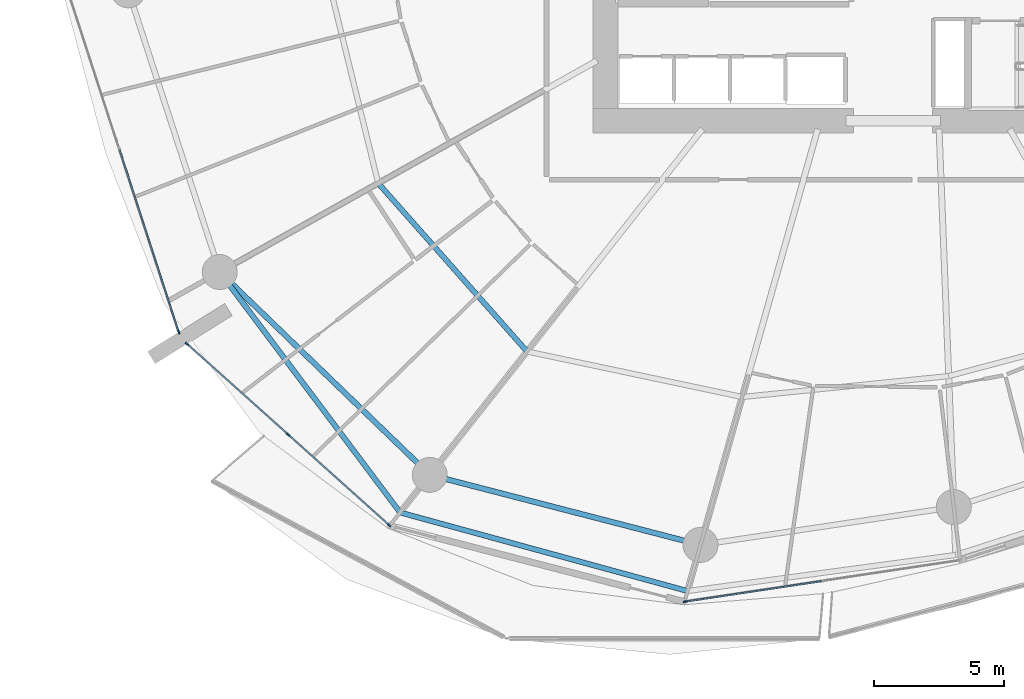
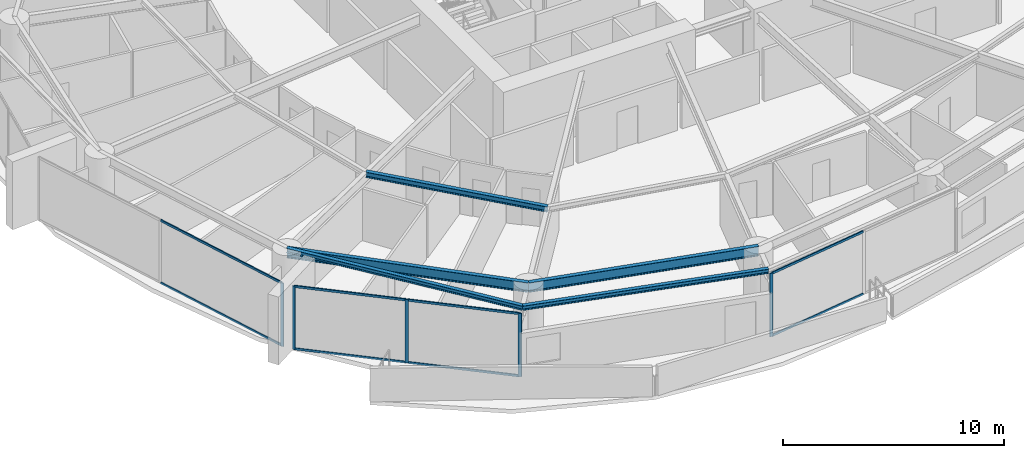
# One storey, part 6 of 31: 13 members, 5 beams, 3 elements without a shape of their own.
"""IFC4 building model written with IfcOpenShell, lengths in metres."""

from ifc_helpers import new_model, si_unit, direction, frame, origin, origin_2d, place, context, subcontext, project, spatial, rectangle, i_section, extrude, material, layer, layer_set, material_profile, profile_set, type_object, element, aggregate, save


model = new_model("IFC4")

# Units and contexts
model_context = context("Model", 3, precision=1e-05, world=origin(), true_north=direction((0.0, 1.0)))
body_context = subcontext(model_context, "Body", "Model", "MODEL_VIEW")
ifc_project = project(units=[si_unit("LENGTHUNIT", "METRE"), si_unit("AREAUNIT", "SQUARE_METRE"), si_unit("VOLUMEUNIT", "CUBIC_METRE"), si_unit("PLANEANGLEUNIT", "RADIAN"), si_unit("MASSUNIT", "GRAM", prefix="KILO")], contexts=[model_context])

# Site, building, storey
site_placement = place(None, origin())
site = spatial("IfcSite", under=ifc_project, at=site_placement, CompositionType="ELEMENT")
building_placement = place(site_placement, origin())
building = spatial("IfcBuilding", under=site, at=building_placement, Name="Kazma Halo Residences", CompositionType="ELEMENT")
storey_placement = place(building_placement, frame((0.0, 0.0, 60.14990234375)))
storey = spatial("IfcBuildingStorey", under=building, at=storey_placement, Name="L14", CompositionType="ELEMENT", Elevation=60.14990234375)

# Beams
ifc_material_1 = material(Name="Steel S355", Category="steel")
ifc_material_profile_1 = material_profile(ifc_material_1, i_section(OverallWidth=0.201904296875, OverallDepth=0.2470703125, WebThickness=0.00732421875, FlangeThickness=0.010986328125, FilletRadius=0.011962890625, at=origin_2d()), Name="W250x49.1")
ifc_profile_set_1 = profile_set([ifc_material_profile_1], Name="Steel S355")
beam_type_1 = type_object("IfcBeamType", Name="BM-BAL-CANT", PredefinedType="BEAM", material=ifc_profile_set_1)
beam_1_placement = place(storey_placement, frame((22.43505859375, 27.682861328125, 3.376708984375), z_axis=(0.600026935007, -0.799979798037, 0.0), x_axis=(0.799979798037, 0.600026935007, 0.0)))
element("IfcBeam", 1, at=beam_1_placement, inside=storey, type_object=beam_type_1, Name="L14 wave-balcony lead tie beam 09", PredefinedType="BEAM", context=body_context, shape_type="SweptSolid", body=[
    extrude(i_section(OverallWidth=0.201904296875, OverallDepth=0.2470703125, WebThickness=0.00732421875, FlangeThickness=0.010986328125, FilletRadius=0.011962890625, at=origin_2d()), origin(), (0.0, 0.0, 1.0), 11.601806640625),
])
beam_2_placement = place(storey_placement, frame((29.396484375, 18.401611328125, 3.376708984375), z_axis=(0.964628474934, -0.263613173697, 0.0), x_axis=(0.263613173697, 0.964628474934, 0.0)))
element("IfcBeam", 2, at=beam_2_placement, inside=storey, type_object=beam_type_1, Name="L14 wave-balcony tie beam 10", PredefinedType="BEAM", context=body_context, shape_type="SweptSolid", body=[
    extrude(i_section(OverallWidth=0.201904296875, OverallDepth=0.2470703125, WebThickness=0.00732421875, FlangeThickness=0.010986328125, FilletRadius=0.011962890625, at=origin_2d()), origin(), (0.0, 0.0, 1.0), 11.499755859375),
])
ifc_material_profile_2 = material_profile(ifc_material_1, i_section(OverallWidth=0.202880859375, OverallDepth=0.302978515625, WebThickness=0.007568359375, FlangeThickness=0.01318359375, FilletRadius=0.013916015625, at=origin_2d()), Name="W310x60")
ifc_profile_set_2 = profile_set([ifc_material_profile_2], Name="Steel S355")
beam_type_2 = type_object("IfcBeamType", Name="BM-SEC-W310A", PredefinedType="JOIST", material=ifc_profile_set_2)
beam_3_placement = place(storey_placement, frame((28.55224609375, 31.10888671875, 3.3486328125), z_axis=(0.662640120169, -0.748937962146, 0.0), x_axis=(0.748937962146, 0.662640120169, 0.0)))
element("IfcBeam", 3, at=beam_3_placement, inside=storey, type_object=beam_type_2, Name="L14 circumferential floor joist 09", PredefinedType="JOIST", context=body_context, shape_type="SweptSolid", body=[
    extrude(i_section(OverallWidth=0.202880859375, OverallDepth=0.302978515625, WebThickness=0.007568359375, FlangeThickness=0.01318359375, FilletRadius=0.013916015625, at=origin_2d()), origin(), (0.0, 0.0, 1.0), 8.668212890625),
])
ifc_material_profile_3 = material_profile(ifc_material_1, i_section(OverallWidth=0.208984375, OverallDepth=0.532958984375, WebThickness=0.01025390625, FlangeThickness=0.015625, FilletRadius=0.01611328125, at=origin_2d()), Name="W530x92")
ifc_profile_set_3 = profile_set([ifc_material_profile_3], Name="Steel S355")
beam_type_3 = type_object("IfcBeamType", Name="BM-SPN-W530", PredefinedType="BEAM", material=ifc_profile_set_3)
beam_4_placement = place(storey_placement, frame((22.43505859375, 27.682861328125, 3.233642578125), z_axis=(0.719336506967, -0.694661780829, 0.0), x_axis=(0.694661780829, 0.719336506967, 0.0)))
element("IfcBeam", 4, at=beam_4_placement, inside=storey, type_object=beam_type_3, Name="L14 perimeter ring beam 09", PredefinedType="BEAM", context=body_context, shape_type="SweptSolid", body=[
    extrude(i_section(OverallWidth=0.208984375, OverallDepth=0.532958984375, WebThickness=0.01025390625, FlangeThickness=0.015625, FilletRadius=0.01611328125, at=origin_2d()), origin(), (0.0, 0.0, 1.0), 11.269775390625),
])
beam_5_placement = place(storey_placement, frame((30.541748046875, 19.854248046875, 3.233642578125), z_axis=(0.968123558238, -0.250473104313, 0.0), x_axis=(0.250473104313, 0.968123558238, 0.0)))
element("IfcBeam", 5, at=beam_5_placement, inside=storey, type_object=beam_type_3, Name="L14 perimeter ring beam 10", PredefinedType="BEAM", context=body_context, shape_type="SweptSolid", body=[
    extrude(i_section(OverallWidth=0.208984375, OverallDepth=0.532958984375, WebThickness=0.01025390625, FlangeThickness=0.015625, FilletRadius=0.01611328125, at=origin_2d()), origin(), (0.0, 0.0, 1.0), 10.7939453125),
])

# Curtain wall, member
ifc_material_2 = material(Name="Aluminium AW-6063 T6 and Triple-Silver Low-E Glass", Category="aluminium")
ifc_layer = layer(ifc_material_2, 0.159912109375)
ifc_layer_set = layer_set([ifc_layer], Name="Aluminium AW-6063 T6 and Triple-Silver Low-E Glass")
curtain_wall_type = type_object("IfcCurtainWallType", Name="CW-SYS-2", PredefinedType="NOTDEFINED", material=ifc_layer_set)
curtain_wall_1_placement = place(storey_placement, origin())
curtain_wall_1 = element("IfcCurtainWall", 6, at=curtain_wall_1_placement, inside=storey, type_object=curtain_wall_type, Name="L14 unitised curtain wall B08", PredefinedType="NOTDEFINED")
ifc_material_3 = material(Name="Aluminium AW-6063 T6", Category="aluminium")
ifc_material_profile_4 = material_profile(ifc_material_3, rectangle(XDim=0.06005859375, YDim=0.159912109375, at=origin_2d()), Name="CWM-60x160")
ifc_profile_set_4 = profile_set([ifc_material_profile_4], Name="Aluminium AW-6063 T6")
member_type_1 = type_object("IfcMemberType", Name="CW-SYS-2-MUL", PredefinedType="MULLION", material=ifc_profile_set_4)
member_1_placement = place(storey_placement, frame((20.854248046875, 25.36669921875, 0.0), z_axis=(0.0, 0.0, 1.0), x_axis=(0.95105652404, 0.309016970539, 0.0)))
member_1 = element("IfcMember", 7, at=member_1_placement, type_object=member_type_1, Name="CWS-2 mullion 3", PredefinedType="MULLION", context=body_context, shape_type="SweptSolid", body=[
    extrude(rectangle(XDim=0.06005859375, YDim=0.159912109375, at=origin_2d()), origin(), (0.0, 0.0, 1.0), 3.5),
])

# Curtain wall, members
curtain_wall_2_placement = place(storey_placement, origin())
curtain_wall_2 = element("IfcCurtainWall", 8, at=curtain_wall_2_placement, inside=storey, type_object=curtain_wall_type, Name="L14 unitised curtain wall B09", PredefinedType="NOTDEFINED")
member_2_placement = place(storey_placement, frame((21.17333984375, 24.908203125, 0.0), z_axis=(0.0, 0.0, 1.0), x_axis=(0.667821453854, 0.744321506993, 0.0)))
member_2 = element("IfcMember", 9, at=member_2_placement, type_object=member_type_1, Name="CWS-2 mullion 1", PredefinedType="MULLION", context=body_context, shape_type="SweptSolid", body=[
    extrude(rectangle(XDim=0.06005859375, YDim=0.159912109375, at=origin_2d()), origin(), (0.0, 0.0, 1.0), 3.5),
])
member_3_placement = place(storey_placement, frame((25.07275390625, 21.409912109375, 0.0), z_axis=(0.0, 0.0, 1.0), x_axis=(0.667821453854, 0.744321506993, 0.0)))
member_3 = element("IfcMember", 10, at=member_3_placement, type_object=member_type_1, Name="CWS-2 mullion 2", PredefinedType="MULLION", context=body_context, shape_type="SweptSolid", body=[
    extrude(rectangle(XDim=0.06005859375, YDim=0.159912109375, at=origin_2d()), origin(), (0.0, 0.0, 1.0), 3.5),
])
member_4_placement = place(storey_placement, frame((28.971923828125, 17.911376953125, 0.0), z_axis=(0.0, 0.0, 1.0), x_axis=(0.667821453854, 0.744321506993, 0.0)))
member_4 = element("IfcMember", 11, at=member_4_placement, type_object=member_type_1, Name="CWS-2 mullion 3", PredefinedType="MULLION", context=body_context, shape_type="SweptSolid", body=[
    extrude(rectangle(XDim=0.06005859375, YDim=0.159912109375, at=origin_2d()), origin(), (0.0, 0.0, 1.0), 3.5),
])

# Curtain wall, member
curtain_wall_3_placement = place(storey_placement, origin())
curtain_wall_3 = element("IfcCurtainWall", 12, at=curtain_wall_3_placement, inside=storey, type_object=curtain_wall_type, Name="L14 unitised curtain wall B11", PredefinedType="NOTDEFINED")
member_5_placement = place(storey_placement, frame((40.403076171875, 14.962158203125, 0.0), z_axis=(0.0, 0.0, 1.0), x_axis=(-0.148657272805, 0.988888777994, 0.0)))
member_5 = element("IfcMember", 13, at=member_5_placement, type_object=member_type_1, Name="CWS-2 mullion 1", PredefinedType="MULLION", context=body_context, shape_type="SweptSolid", body=[
    extrude(rectangle(XDim=0.06005859375, YDim=0.159912109375, at=origin_2d()), origin(), (0.0, 0.0, 1.0), 3.5),
])

# Member
ifc_material_profile_5 = material_profile(ifc_material_3, rectangle(XDim=0.06005859375, YDim=0.1201171875, at=origin_2d()), Name="CWT-60x120")
ifc_profile_set_5 = profile_set([ifc_material_profile_5], Name="Aluminium AW-6063 T6")
member_type_2 = type_object("IfcMemberType", Name="CW-SYS-2-TRN", PredefinedType="USERDEFINED", material=ifc_profile_set_5)
member_6_placement = place(storey_placement, frame((18.5673828125, 32.4052734375, 0.030029296875), z_axis=(0.309004433966, -0.951060597328, 0.0), x_axis=(0.951060597328, 0.309004433966, 0.0)))
member_6 = element("IfcMember", 14, at=member_6_placement, type_object=member_type_2, Name="CWS-2 transom 2.1", ObjectType="TRANSOM", PredefinedType="USERDEFINED", context=body_context, shape_type="SweptSolid", body=[
    extrude(rectangle(XDim=0.06005859375, YDim=0.1201171875, at=origin_2d()), origin(), (0.0, 0.0, 1.0), 7.370849609375),
])

member_7_placement = place(storey_placement, frame((18.5673828125, 32.4052734375, 3.47021484375), z_axis=(0.309004433966, -0.951060597328, 0.0), x_axis=(0.951060597328, 0.309004433966, 0.0)))
member_7 = element("IfcMember", 15, at=member_7_placement, type_object=member_type_2, Name="CWS-2 transom 2.2", ObjectType="TRANSOM", PredefinedType="USERDEFINED", context=body_context, shape_type="SweptSolid", body=[
    extrude(rectangle(XDim=0.06005859375, YDim=0.1201171875, at=origin_2d()), origin(), (0.0, 0.0, 1.0), 7.370849609375),
])

aggregate(curtain_wall_1, [member_1, member_6, member_7])

member_8_placement = place(storey_placement, frame((21.19580078125, 24.88818359375, 0.030029296875), z_axis=(0.744329408538, -0.66781264707, 0.0), x_axis=(0.66781264707, 0.744329408538, 0.0)))
member_8 = element("IfcMember", 16, at=member_8_placement, type_object=member_type_2, Name="CWS-2 transom 1.1", ObjectType="TRANSOM", PredefinedType="USERDEFINED", context=body_context, shape_type="SweptSolid", body=[
    extrude(rectangle(XDim=0.06005859375, YDim=0.1201171875, at=origin_2d()), origin(), (0.0, 0.0, 1.0), 5.178466796875),
])

member_9_placement = place(storey_placement, frame((21.19580078125, 24.88818359375, 3.47021484375), z_axis=(0.744329408538, -0.66781264707, 0.0), x_axis=(0.66781264707, 0.744329408538, 0.0)))
member_9 = element("IfcMember", 17, at=member_9_placement, type_object=member_type_2, Name="CWS-2 transom 1.2", ObjectType="TRANSOM", PredefinedType="USERDEFINED", context=body_context, shape_type="SweptSolid", body=[
    extrude(rectangle(XDim=0.06005859375, YDim=0.1201171875, at=origin_2d()), origin(), (0.0, 0.0, 1.0), 5.178466796875),
])

member_10_placement = place(storey_placement, frame((25.094970703125, 21.3896484375, 0.030029296875), z_axis=(0.744329408538, -0.66781264707, 0.0), x_axis=(0.66781264707, 0.744329408538, 0.0)))
member_10 = element("IfcMember", 18, at=member_10_placement, type_object=member_type_2, Name="CWS-2 transom 2.1", ObjectType="TRANSOM", PredefinedType="USERDEFINED", context=body_context, shape_type="SweptSolid", body=[
    extrude(rectangle(XDim=0.06005859375, YDim=0.1201171875, at=origin_2d()), origin(), (0.0, 0.0, 1.0), 5.178466796875),
])

member_11_placement = place(storey_placement, frame((25.094970703125, 21.3896484375, 3.47021484375), z_axis=(0.744329408538, -0.66781264707, 0.0), x_axis=(0.66781264707, 0.744329408538, 0.0)))
member_11 = element("IfcMember", 19, at=member_11_placement, type_object=member_type_2, Name="CWS-2 transom 2.2", ObjectType="TRANSOM", PredefinedType="USERDEFINED", context=body_context, shape_type="SweptSolid", body=[
    extrude(rectangle(XDim=0.06005859375, YDim=0.1201171875, at=origin_2d()), origin(), (0.0, 0.0, 1.0), 5.178466796875),
])

aggregate(curtain_wall_2, [member_2, member_3, member_4, member_8, member_9, member_10, member_11])

member_12_placement = place(storey_placement, frame((40.4326171875, 14.966796875, 0.030029296875), z_axis=(0.988890934274, 0.148642928222, 0.0), x_axis=(-0.148642928222, 0.988890934274, 0.0)))
member_12 = element("IfcMember", 20, at=member_12_placement, type_object=member_type_2, Name="CWS-2 transom 1.1", ObjectType="TRANSOM", PredefinedType="USERDEFINED", context=body_context, shape_type="SweptSolid", body=[
    extrude(rectangle(XDim=0.06005859375, YDim=0.1201171875, at=origin_2d()), origin(), (0.0, 0.0, 1.0), 5.288818359375),
])

member_13_placement = place(storey_placement, frame((40.4326171875, 14.966796875, 3.47021484375), z_axis=(0.988890934274, 0.148642928222, 0.0), x_axis=(-0.148642928222, 0.988890934274, 0.0)))
member_13 = element("IfcMember", 21, at=member_13_placement, type_object=member_type_2, Name="CWS-2 transom 1.2", ObjectType="TRANSOM", PredefinedType="USERDEFINED", context=body_context, shape_type="SweptSolid", body=[
    extrude(rectangle(XDim=0.06005859375, YDim=0.1201171875, at=origin_2d()), origin(), (0.0, 0.0, 1.0), 5.288818359375),
])

aggregate(curtain_wall_3, [member_5, member_12, member_13])

save(model, "model.ifc")
